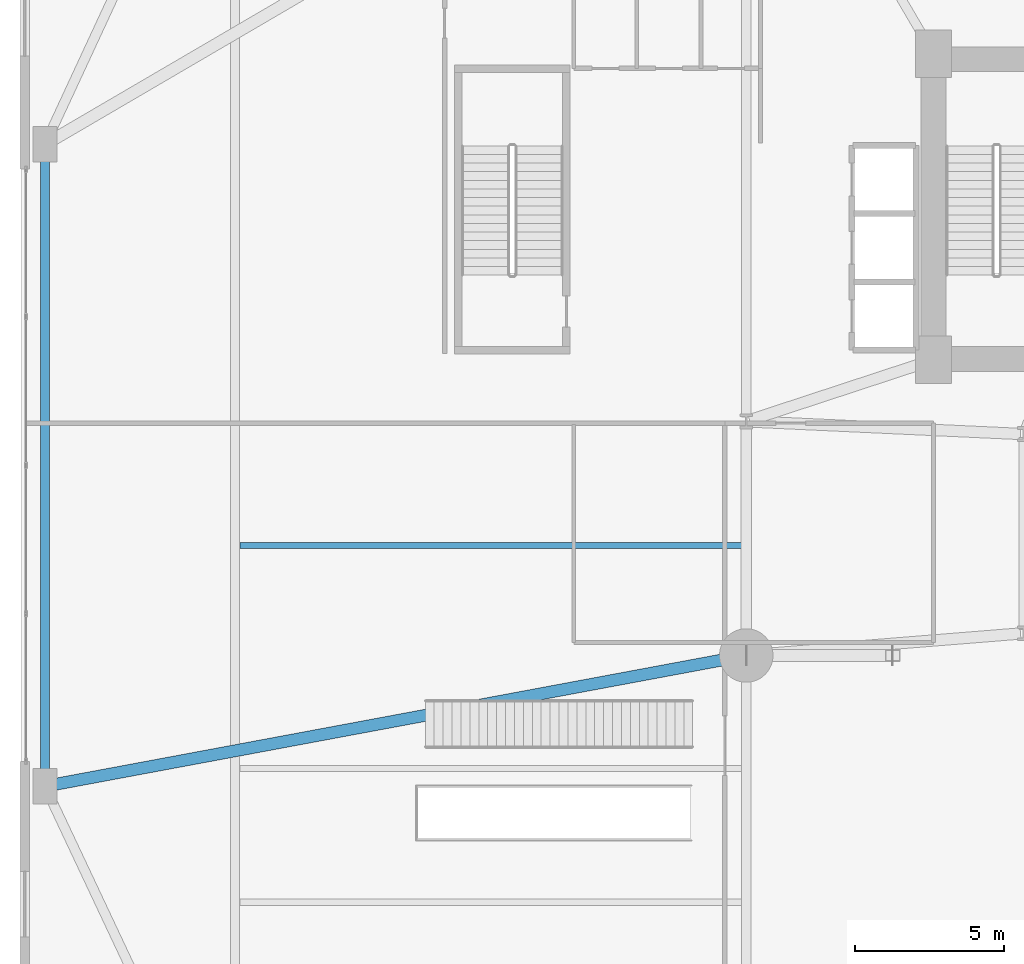
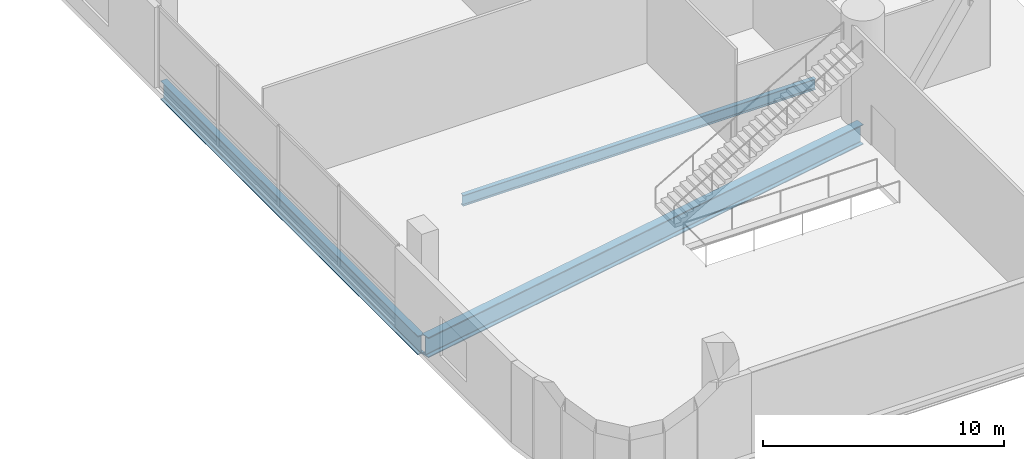
# One storey, part 7 of 40: 3 beams.
"""IFC4 building model written with IfcOpenShell, lengths in metres."""

from ifc_helpers import new_model, si_unit, direction, frame, origin, origin_2d, place, context, subcontext, project, spatial, i_section, extrude, material, material_profile, profile_set, type_object, element, save


model = new_model("IFC4")

# Units and contexts
model_context = context("Model", 3, precision=1e-05, world=origin(), true_north=direction((0.0, 1.0)))
body_context = subcontext(model_context, "Body", "Model", "MODEL_VIEW")
ifc_project = project(units=[si_unit("LENGTHUNIT", "METRE"), si_unit("AREAUNIT", "SQUARE_METRE"), si_unit("VOLUMEUNIT", "CUBIC_METRE"), si_unit("PLANEANGLEUNIT", "RADIAN"), si_unit("MASSUNIT", "GRAM", prefix="KILO")], contexts=[model_context])

# Site, building, storey
site_placement = place(None, origin())
site = spatial("IfcSite", under=ifc_project, at=site_placement, CompositionType="ELEMENT")
building_placement = place(site_placement, origin())
building = spatial("IfcBuilding", under=site, at=building_placement, Name="Varnelok Gate Tower", CompositionType="ELEMENT")
storey_placement = place(building_placement, frame((0.0, 0.0, 5.39990234375)))
storey = spatial("IfcBuildingStorey", under=building, at=storey_placement, Name="L01", CompositionType="ELEMENT", Elevation=5.39990234375)

# Beams
ifc_material = material(Name="Structural Steel ASTM A992 Grade 50", Category="steel")
ifc_material_profile_1 = material_profile(ifc_material, i_section(OverallWidth=0.2119140625, OverallDepth=0.5439453125, WebThickness=0.01318359375, FlangeThickness=0.021240234375, FilletRadius=0.01611328125, at=origin_2d()), Name="W21X83")
ifc_profile_set_1 = profile_set([ifc_material_profile_1], Name="Structural Steel ASTM A992 Grade 50")
beam_type_1 = type_object("IfcBeamType", Name="BM-JST-W21X83", PredefinedType="JOIST", material=ifc_profile_set_1)
beam_1_placement = place(storey_placement, frame((7.360107421875, 22.5, -0.552001953125), z_axis=(1.0, 0.0, 0.0), x_axis=(0.0, 1.0, 0.0)))
element("IfcBeam", 1, at=beam_1_placement, inside=storey, type_object=beam_type_1, Name="L01 Podium Floor Joist", PredefinedType="JOIST", context=body_context, shape_type="SweptSolid", body=[
    extrude(i_section(OverallWidth=0.2119140625, OverallDepth=0.5439453125, WebThickness=0.01318359375, FlangeThickness=0.021240234375, FilletRadius=0.01611328125, at=origin_2d()), origin(), (0.0, 0.0, 1.0), 16.8798828125),
])
ifc_material_profile_2 = material_profile(ifc_material, i_section(OverallWidth=0.30810546875, OverallDepth=0.943115234375, WebThickness=0.022216796875, FlangeThickness=0.039794921875, FilletRadius=0.02587890625, at=origin_2d()), Name="W36X232")
ifc_profile_set_2 = profile_set([ifc_material_profile_2], Name="Structural Steel ASTM A992 Grade 50")
beam_type_2 = type_object("IfcBeamType", Name="BM-PRI-W36X232", PredefinedType="BEAM", material=ifc_profile_set_2)
beam_2_placement = place(storey_placement, frame((0.800048828125, 14.5400390625, -0.75146484375), z_axis=(0.0, 1.0, 0.0), x_axis=(-1.0, 0.0, 0.0)))
element("IfcBeam", 2, at=beam_2_placement, inside=storey, type_object=beam_type_2, Name="L01 Podium Primary Girder 6", PredefinedType="BEAM", context=body_context, shape_type="SweptSolid", body=[
    extrude(i_section(OverallWidth=0.30810546875, OverallDepth=0.943115234375, WebThickness=0.022216796875, FlangeThickness=0.039794921875, FilletRadius=0.02587890625, at=origin_2d()), origin(), (0.0, 0.0, 1.0), 21.320068359375),
])
ifc_material_profile_3 = material_profile(ifc_material, i_section(OverallWidth=0.404052734375, OverallDepth=1.02001953125, WebThickness=0.025390625, FlangeThickness=0.0458984375, FilletRadius=0.030029296875, at=origin_2d()), Name="W40X324")
ifc_profile_set_3 = profile_set([ifc_material_profile_3], Name="Structural Steel ASTM A992 Grade 50")
beam_type_3 = type_object("IfcBeamType", Name="BM-SPR-W40X324", PredefinedType="BEAM", material=ifc_profile_set_3)
beam_3_placement = place(storey_placement, frame((0.9375, 14.42578125, -0.789794921875), z_axis=(0.983060958823, 0.183278889234, 0.0), x_axis=(-0.183278889234, 0.983060958823, 0.0)))
element("IfcBeam", 3, at=beam_3_placement, inside=storey, type_object=beam_type_3, Name="L01 Podium Primary Girder 16", PredefinedType="BEAM", context=body_context, shape_type="SweptSolid", body=[
    extrude(i_section(OverallWidth=0.404052734375, OverallDepth=1.02001953125, WebThickness=0.025390625, FlangeThickness=0.0458984375, FilletRadius=0.030029296875, at=origin_2d()), origin(), (0.0, 0.0, 1.0), 23.726806640625),
])

save(model, "model.ifc")
